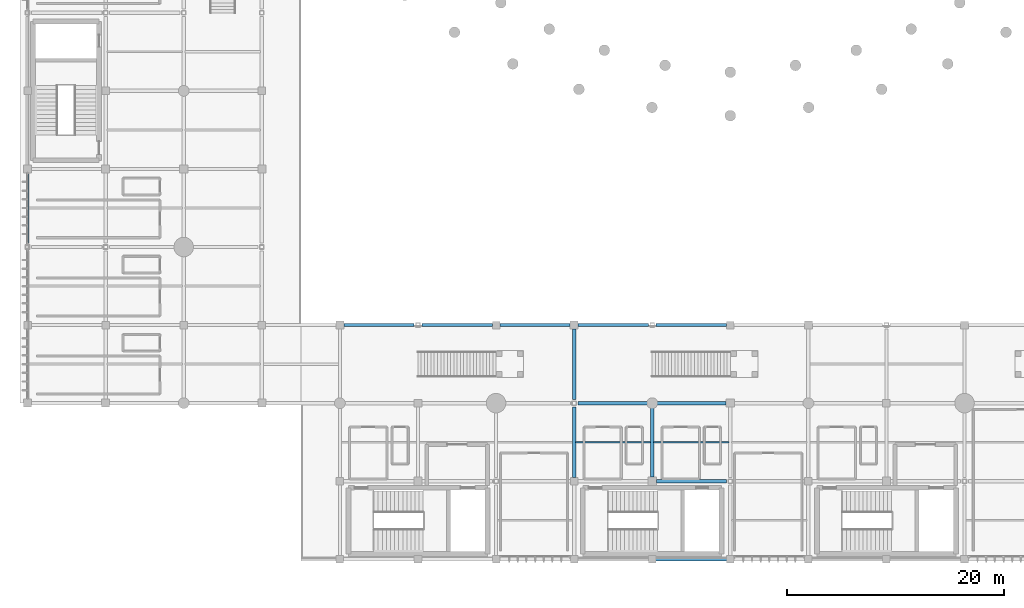
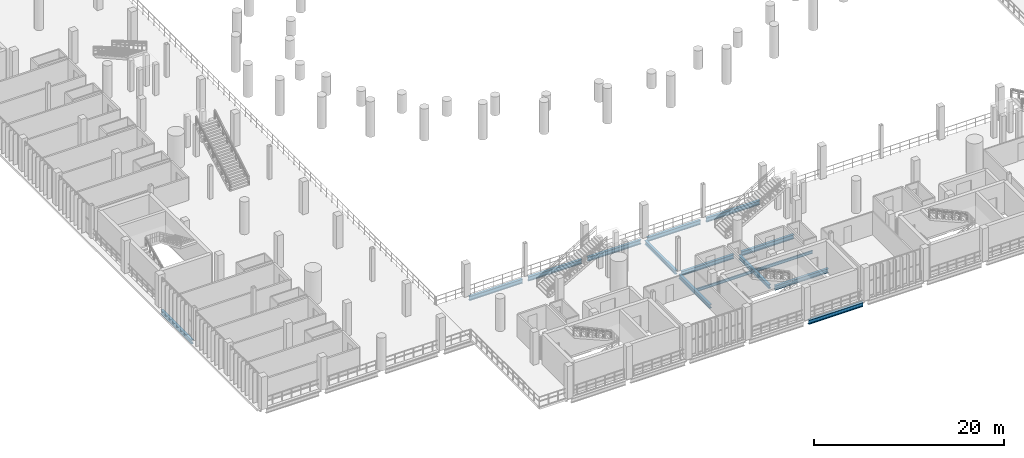
# One storey, part 27 of 130: 15 beams.
"""IFC4 building model written with IfcOpenShell, lengths in metres."""

from ifc_helpers import new_model, si_unit, direction, frame, origin, origin_2d, place, context, subcontext, project, spatial, i_section, extrude, material, material_profile, profile_set, type_object, element, save


model = new_model("IFC4")

# Units and contexts
model_context = context("Model", 3, precision=1e-05, world=origin(), true_north=direction((0.0, 1.0)))
body_context = subcontext(model_context, "Body", "Model", "MODEL_VIEW")
ifc_project = project(units=[si_unit("LENGTHUNIT", "METRE"), si_unit("AREAUNIT", "SQUARE_METRE"), si_unit("VOLUMEUNIT", "CUBIC_METRE"), si_unit("PLANEANGLEUNIT", "RADIAN"), si_unit("MASSUNIT", "GRAM", prefix="KILO")], contexts=[model_context])

# Site, building, storey
site_placement = place(None, origin())
site = spatial("IfcSite", under=ifc_project, at=site_placement, CompositionType="ELEMENT")
building_placement = place(site_placement, origin())
building = spatial("IfcBuilding", under=site, at=building_placement, Name="Qandorah Velis Arena", CompositionType="ELEMENT")
storey_placement = place(building_placement, frame((0.0, 0.0, 9.60009765625)))
storey = spatial("IfcBuildingStorey", under=building, at=storey_placement, Name="L02", CompositionType="ELEMENT", Elevation=9.60009765625)

# Beams
ifc_material = material(Name="Steel S355", Category="steel")
ifc_material_profile_1 = material_profile(ifc_material, i_section(OverallWidth=0.300048828125, OverallDepth=0.5, WebThickness=0.014404296875, FlangeThickness=0.028076171875, FilletRadius=0.027099609375, at=origin_2d()), Name="HEB 500")
ifc_profile_set_1 = profile_set([ifc_material_profile_1], Name="Steel S355")
beam_type_1 = type_object("IfcBeamType", Name="STR-BM-HEB500", PredefinedType="BEAM", material=ifc_profile_set_1)
beam_1_placement = place(storey_placement, frame((0.0, 29.14990234375, -0.530029296875), z_axis=(0.0, 1.0, 0.0), x_axis=(-1.0, 0.0, 0.0)))
element("IfcBeam", 1, at=beam_1_placement, inside=storey, type_object=beam_type_1, Name="Primary floor girder L02 Y-186", PredefinedType="BEAM", context=body_context, shape_type="SweptSolid", body=[
    extrude(i_section(OverallWidth=0.300048828125, OverallDepth=0.5, WebThickness=0.014404296875, FlangeThickness=0.028076171875, FilletRadius=0.027099609375, at=origin_2d()), origin(), (0.0, 0.0, 1.0), 6.47509765625),
])
beam_2_placement = place(storey_placement, frame((50.39990234375, 7.550048828125, -0.530029296875), z_axis=(0.0, 1.0, 0.0), x_axis=(-1.0, 0.0, 0.0)))
element("IfcBeam", 2, at=beam_2_placement, inside=storey, type_object=beam_type_1, Name="Primary floor girder L02 Y-253", PredefinedType="BEAM", context=body_context, shape_type="SweptSolid", body=[
    extrude(i_section(OverallWidth=0.300048828125, OverallDepth=0.5, WebThickness=0.014404296875, FlangeThickness=0.028076171875, FilletRadius=0.027099609375, at=origin_2d()), origin(), (0.0, 0.0, 1.0), 6.5),
])
beam_3_placement = place(storey_placement, frame((50.39990234375, 14.75, -0.530029296875), z_axis=(0.0, 1.0, 0.0), x_axis=(-1.0, 0.0, 0.0)))
element("IfcBeam", 3, at=beam_3_placement, inside=storey, type_object=beam_type_1, Name="Primary floor girder L02 Y-254", PredefinedType="BEAM", context=body_context, shape_type="SweptSolid", body=[
    extrude(i_section(OverallWidth=0.300048828125, OverallDepth=0.5, WebThickness=0.014404296875, FlangeThickness=0.028076171875, FilletRadius=0.027099609375, at=origin_2d()), origin(), (0.0, 0.0, 1.0), 6.47509765625),
])
beam_4_placement = place(storey_placement, frame((57.60009765625, 7.574951171875, -0.530029296875), z_axis=(0.0, 1.0, 0.0), x_axis=(-1.0, 0.0, 0.0)))
element("IfcBeam", 4, at=beam_4_placement, inside=storey, type_object=beam_type_1, Name="Primary floor girder L02 Y-258", PredefinedType="BEAM", context=body_context, shape_type="SweptSolid", body=[
    extrude(i_section(OverallWidth=0.300048828125, OverallDepth=0.5, WebThickness=0.014404296875, FlangeThickness=0.028076171875, FilletRadius=0.027099609375, at=origin_2d()), origin(), (0.0, 0.0, 1.0), 6.375),
])
ifc_material_profile_2 = material_profile(ifc_material, i_section(OverallWidth=0.300048828125, OverallDepth=0.550048828125, WebThickness=0.014892578125, FlangeThickness=0.029052734375, FilletRadius=0.027099609375, at=origin_2d()), Name="HEB 550")
ifc_profile_set_2 = profile_set([ifc_material_profile_2], Name="Steel S355")
beam_type_2 = type_object("IfcBeamType", Name="STR-BM-HEB550", PredefinedType="BEAM", material=ifc_profile_set_2)
beam_5_placement = place(storey_placement, frame((57.89990234375, 0.0, -0.55517578125), z_axis=(1.0, 0.0, 0.0), x_axis=(0.0, 1.0, 0.0)))
element("IfcBeam", 5, at=beam_5_placement, inside=storey, type_object=beam_type_2, Name="Primary floor girder L02 X-005", PredefinedType="BEAM", context=body_context, shape_type="SweptSolid", body=[
    extrude(i_section(OverallWidth=0.300048828125, OverallDepth=0.550048828125, WebThickness=0.014892578125, FlangeThickness=0.029052734375, FilletRadius=0.027099609375, at=origin_2d()), origin(), (0.0, 0.0, 1.0), 6.60009765625),
])
beam_6_placement = place(storey_placement, frame((57.97509765625, 7.199951171875, -0.55517578125), z_axis=(1.0, 0.0, 0.0), x_axis=(0.0, 1.0, 0.0)))
element("IfcBeam", 6, at=beam_6_placement, inside=storey, type_object=beam_type_2, Name="Primary floor girder L02 X-017", PredefinedType="BEAM", context=body_context, shape_type="SweptSolid", body=[
    extrude(i_section(OverallWidth=0.300048828125, OverallDepth=0.550048828125, WebThickness=0.014892578125, FlangeThickness=0.029052734375, FilletRadius=0.027099609375, at=origin_2d()), origin(), (0.0, 0.0, 1.0), 6.474853515625),
])
beam_7_placement = place(storey_placement, frame((50.75, 14.39990234375, -0.55517578125), z_axis=(1.0, 0.0, 0.0), x_axis=(0.0, 1.0, 0.0)))
element("IfcBeam", 7, at=beam_7_placement, inside=storey, type_object=beam_type_2, Name="Primary floor girder L02 X-032", PredefinedType="BEAM", context=body_context, shape_type="SweptSolid", body=[
    extrude(i_section(OverallWidth=0.300048828125, OverallDepth=0.550048828125, WebThickness=0.014892578125, FlangeThickness=0.029052734375, FilletRadius=0.027099609375, at=origin_2d()), origin(), (0.0, 0.0, 1.0), 6.39990234375),
])
beam_8_placement = place(storey_placement, frame((58.050048828125, 14.39990234375, -0.55517578125), z_axis=(1.0, 0.0, 0.0), x_axis=(0.0, 1.0, 0.0)))
element("IfcBeam", 8, at=beam_8_placement, inside=storey, type_object=beam_type_2, Name="Primary floor girder L02 X-033", PredefinedType="BEAM", context=body_context, shape_type="SweptSolid", body=[
    extrude(i_section(OverallWidth=0.300048828125, OverallDepth=0.550048828125, WebThickness=0.014892578125, FlangeThickness=0.029052734375, FilletRadius=0.027099609375, at=origin_2d()), origin(), (0.0, 0.0, 1.0), 6.375),
])
beam_9_placement = place(storey_placement, frame((29.175048828125, 21.60009765625, -0.55517578125), z_axis=(1.0, 0.0, 0.0), x_axis=(0.0, 1.0, 0.0)))
element("IfcBeam", 9, at=beam_9_placement, inside=storey, type_object=beam_type_2, Name="Primary floor girder L02 X-045", PredefinedType="BEAM", context=body_context, shape_type="SweptSolid", body=[
    extrude(i_section(OverallWidth=0.300048828125, OverallDepth=0.550048828125, WebThickness=0.014892578125, FlangeThickness=0.029052734375, FilletRadius=0.027099609375, at=origin_2d()), origin(), (0.0, 0.0, 1.0), 6.474853515625),
])
beam_10_placement = place(storey_placement, frame((36.35009765625, 21.60009765625, -0.55517578125), z_axis=(1.0, 0.0, 0.0), x_axis=(0.0, 1.0, 0.0)))
element("IfcBeam", 10, at=beam_10_placement, inside=storey, type_object=beam_type_2, Name="Primary floor girder L02 X-046", PredefinedType="BEAM", context=body_context, shape_type="SweptSolid", body=[
    extrude(i_section(OverallWidth=0.300048828125, OverallDepth=0.550048828125, WebThickness=0.014892578125, FlangeThickness=0.029052734375, FilletRadius=0.027099609375, at=origin_2d()), origin(), (0.0, 0.0, 1.0), 6.5),
])
beam_11_placement = place(storey_placement, frame((43.550048828125, 21.60009765625, -0.55517578125), z_axis=(1.0, 0.0, 0.0), x_axis=(0.0, 1.0, 0.0)))
element("IfcBeam", 11, at=beam_11_placement, inside=storey, type_object=beam_type_2, Name="Primary floor girder L02 X-047", PredefinedType="BEAM", context=body_context, shape_type="SweptSolid", body=[
    extrude(i_section(OverallWidth=0.300048828125, OverallDepth=0.550048828125, WebThickness=0.014892578125, FlangeThickness=0.029052734375, FilletRadius=0.027099609375, at=origin_2d()), origin(), (0.0, 0.0, 1.0), 6.474853515625),
])
beam_12_placement = place(storey_placement, frame((50.77490234375, 21.60009765625, -0.55517578125), z_axis=(1.0, 0.0, 0.0), x_axis=(0.0, 1.0, 0.0)))
element("IfcBeam", 12, at=beam_12_placement, inside=storey, type_object=beam_type_2, Name="Primary floor girder L02 X-048", PredefinedType="BEAM", context=body_context, shape_type="SweptSolid", body=[
    extrude(i_section(OverallWidth=0.300048828125, OverallDepth=0.550048828125, WebThickness=0.014892578125, FlangeThickness=0.029052734375, FilletRadius=0.027099609375, at=origin_2d()), origin(), (0.0, 0.0, 1.0), 6.47509765625),
])
beam_13_placement = place(storey_placement, frame((57.949951171875, 21.60009765625, -0.55517578125), z_axis=(1.0, 0.0, 0.0), x_axis=(0.0, 1.0, 0.0)))
element("IfcBeam", 13, at=beam_13_placement, inside=storey, type_object=beam_type_2, Name="Primary floor girder L02 X-049", PredefinedType="BEAM", context=body_context, shape_type="SweptSolid", body=[
    extrude(i_section(OverallWidth=0.300048828125, OverallDepth=0.550048828125, WebThickness=0.014892578125, FlangeThickness=0.029052734375, FilletRadius=0.027099609375, at=origin_2d()), origin(), (0.0, 0.0, 1.0), 6.5),
])
ifc_material_profile_3 = material_profile(ifc_material, i_section(OverallWidth=0.169921875, OverallDepth=0.360107421875, WebThickness=0.008056640625, FlangeThickness=0.0126953125, FilletRadius=0.01806640625, at=origin_2d()), Name="IPE 360")
ifc_profile_set_3 = profile_set([ifc_material_profile_3], Name="Steel S355")
beam_type_3 = type_object("IfcBeamType", Name="STR-JST-IPE360", PredefinedType="JOIST", material=ifc_profile_set_3)
beam_14_placement = place(storey_placement, frame((50.534912109375, 10.800048828125, -0.460205078125), z_axis=(1.0, 0.0, 0.0), x_axis=(0.0, 1.0, 0.0)))
element("IfcBeam", 14, at=beam_14_placement, inside=storey, type_object=beam_type_3, Name="Secondary floor joist L02-047", PredefinedType="JOIST", context=body_context, shape_type="SweptSolid", body=[
    extrude(i_section(OverallWidth=0.169921875, OverallDepth=0.360107421875, WebThickness=0.008056640625, FlangeThickness=0.0126953125, FilletRadius=0.01806640625, at=origin_2d()), origin(), (0.0, 0.0, 1.0), 6.93017578125),
])
beam_15_placement = place(storey_placement, frame((57.735107421875, 10.800048828125, -0.460205078125), z_axis=(1.0, 0.0, 0.0), x_axis=(0.0, 1.0, 0.0)))
element("IfcBeam", 15, at=beam_15_placement, inside=storey, type_object=beam_type_3, Name="Secondary floor joist L02-049", PredefinedType="JOIST", context=body_context, shape_type="SweptSolid", body=[
    extrude(i_section(OverallWidth=0.169921875, OverallDepth=0.360107421875, WebThickness=0.008056640625, FlangeThickness=0.0126953125, FilletRadius=0.01806640625, at=origin_2d()), origin(), (0.0, 0.0, 1.0), 6.929931640625),
])

save(model, "model.ifc")
